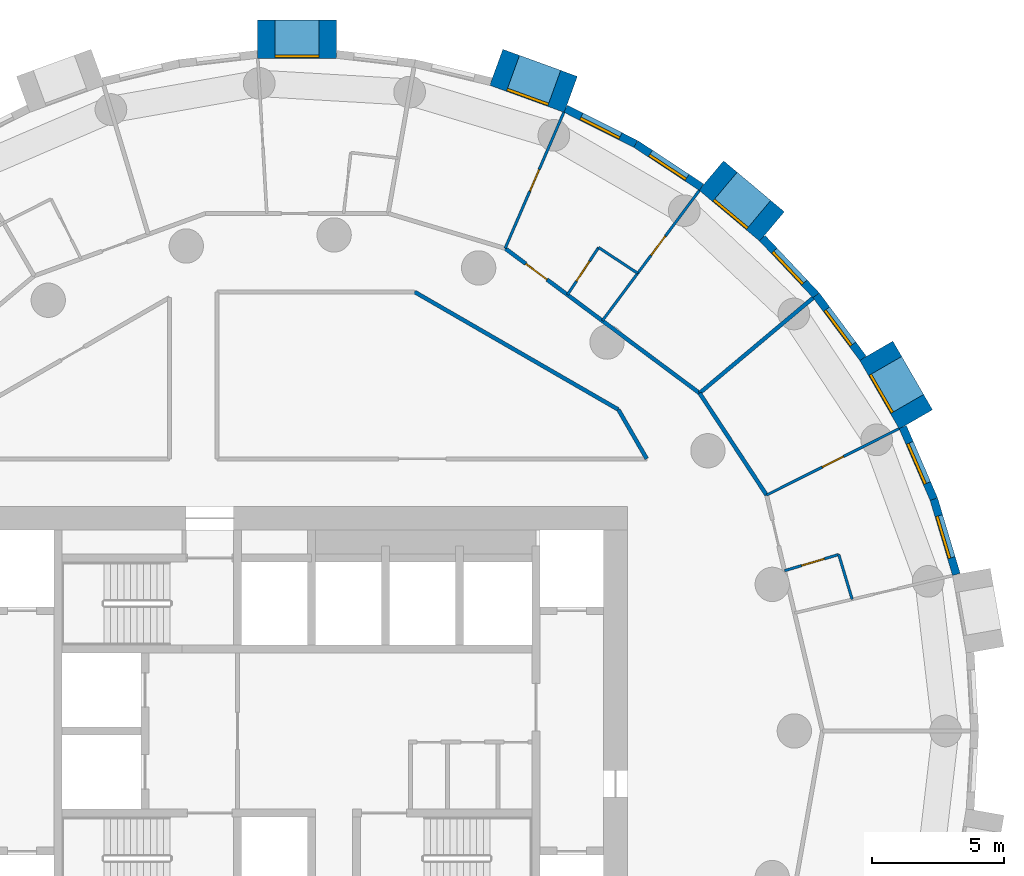
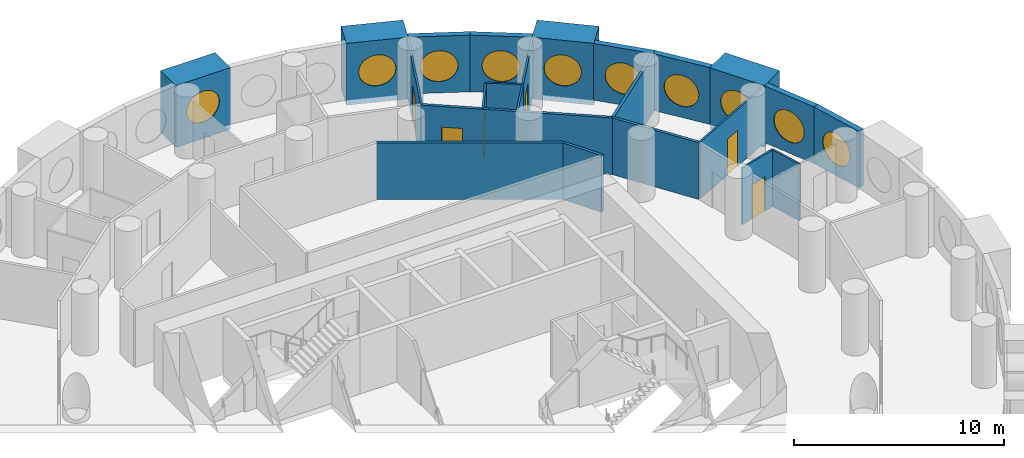
# One storey, part 7 of 9: 23 walls, 10 windows, 6 doors, 16 openings.
"""IFC4 building model written with IfcOpenShell, lengths in metres."""

from ifc_helpers import new_model, si_unit, direction, frame, frame_2d, origin, origin_2d, place, context, subcontext, project, spatial, rectangle, circle, extrude, material, layer, layer_set, type_object, element, fill, save


model = new_model("IFC4")

# Units and contexts
model_context = context("Model", 3, precision=1e-05, world=origin(), true_north=direction((0.0, 1.0)))
body_context = subcontext(model_context, "Body", "Model", "MODEL_VIEW")
ifc_project = project(units=[si_unit("LENGTHUNIT", "METRE"), si_unit("AREAUNIT", "SQUARE_METRE"), si_unit("VOLUMEUNIT", "CUBIC_METRE"), si_unit("PLANEANGLEUNIT", "RADIAN"), si_unit("MASSUNIT", "GRAM", prefix="KILO")], contexts=[model_context])

# Site, building, storey
site_placement = place(None, origin())
site = spatial("IfcSite", under=ifc_project, at=site_placement, CompositionType="ELEMENT")
building_placement = place(site_placement, origin())
building = spatial("IfcBuilding", under=site, at=building_placement, Name="Tracery Tower", CompositionType="ELEMENT")
storey_placement = place(building_placement, frame((0.0, 0.0, 169.199951171875)))
storey = spatial("IfcBuildingStorey", under=building, at=storey_placement, Name="L43", CompositionType="ELEMENT", Elevation=169.199951171875)

# Wall, opening, window
ifc_material_1 = material(Name="Precast concrete C50/60", Category="concrete")
ifc_layer_1 = layer(ifc_material_1, 1.449951171875)
ifc_layer_set_1 = layer_set([ifc_layer_1], Name="Deep-set bay unit 3000 x 3600, slab edge 300")
wall_type_1 = type_object("IfcWallType", Name="Deep-set bay unit 3000 x 3600, slab edge 300", PredefinedType="ELEMENTEDWALL", material=ifc_layer_set_1)
wall_1_placement = place(storey_placement, frame((23.421630859375, 11.79052734375, -0.300048828125), z_axis=(0.0, 0.0, 1.0), x_axis=(-0.499990139034, 0.866031096941, 0.0)))
wall_1 = element("IfcWall", 1, at=wall_1_placement, inside=storey, type_object=wall_type_1, Name="Deep-set bay unit 5 at L43", PredefinedType="ELEMENTEDWALL", context=body_context, shape_type="SweptSolid", body=[
    extrude(rectangle(XDim=3.0, YDim=1.449951171875, at=frame_2d((1.5, 0.0))), origin(), (0.0, 0.0, 1.0), 3.60009765625),
])
opening_1_placement = place(wall_1_placement, frame((1.5, 0.0, 1.85009765625)))
opening_1 = element("IfcOpeningElement", 2, at=opening_1_placement, cuts=wall_1, Name="Opening WN1", PredefinedType="OPENING", context=body_context, shape_type="SweptSolid", body=[
    extrude(circle(Radius=0.9000244140625, at=origin_2d()), frame((0.0, 0.73486328125, 0.0), z_axis=(0.0, -1.0, 0.0), x_axis=(1.0, 0.0, 0.0)), (0.0, 0.0, 1.0), 1.469970703125),
])
ifc_material_2 = material(Name="Aluminium frame with tinted double glazing", Category="aluminium")
window_type = type_object("IfcWindowType", Name="Round window 1800", PartitioningType="SINGLE_PANEL", PredefinedType="WINDOW", material=ifc_material_2)
window_1_placement = place(opening_1_placement, origin())
window_1 = element("IfcWindow", 3, at=window_1_placement, inside=storey, type_object=window_type, Name="Round window 5 at L43", OverallHeight=1.800048828125, OverallWidth=1.800048828125, PartitioningType="SINGLE_PANEL", PredefinedType="WINDOW", context=body_context, shape_type="SweptSolid", body=[
    extrude(circle(Radius=0.9000244140625, at=origin_2d()), frame((0.0, 0.69482421875, 0.0), z_axis=(0.0, -1.0, 0.0), x_axis=(1.0, 0.0, 0.0)), (0.0, 0.0, 1.0), 0.10009765625),
])
fill(opening_1, window_1)

wall_2_placement = place(storey_placement, frame((17.9765625, 19.090087890625, -0.300048828125), z_axis=(0.0, 0.0, 1.0), x_axis=(-0.766022196139, 0.642814121673, 0.0)))
wall_2 = element("IfcWall", 4, at=wall_2_placement, inside=storey, type_object=wall_type_1, Name="Deep-set bay unit 8 at L43", PredefinedType="ELEMENTEDWALL", context=body_context, shape_type="SweptSolid", body=[
    extrude(rectangle(XDim=3.0, YDim=1.449951171875, at=frame_2d((1.5, 0.0))), origin(), (0.0, 0.0, 1.0), 3.60009765625),
])
opening_2_placement = place(wall_2_placement, frame((1.5, 0.0, 1.85009765625)))
opening_2 = element("IfcOpeningElement", 5, at=opening_2_placement, cuts=wall_2, Name="Opening WN1", PredefinedType="OPENING", context=body_context, shape_type="SweptSolid", body=[
    extrude(circle(Radius=0.9000244140625, at=origin_2d()), frame((0.0, 0.73486328125, 0.0), z_axis=(0.0, -1.0, 0.0), x_axis=(1.0, 0.0, 0.0)), (0.0, 0.0, 1.0), 1.469970703125),
])
window_2_placement = place(opening_2_placement, origin())
window_2 = element("IfcWindow", 6, at=window_2_placement, inside=storey, type_object=window_type, Name="Round window 8 at L43", OverallHeight=1.800048828125, OverallWidth=1.800048828125, PartitioningType="SINGLE_PANEL", PredefinedType="WINDOW", context=body_context, shape_type="SweptSolid", body=[
    extrude(circle(Radius=0.9000244140625, at=origin_2d()), frame((0.0, 0.69482421875, 0.0), z_axis=(0.0, -1.0, 0.0), x_axis=(1.0, 0.0, 0.0)), (0.0, 0.0, 1.0), 0.10009765625),
])
fill(opening_2, window_2)

wall_3_placement = place(storey_placement, frame((10.36328125, 24.087158203125, -0.300048828125), z_axis=(0.0, 0.0, 1.0), x_axis=(-0.939686455819, 0.342037080957, 0.0)))
wall_3 = element("IfcWall", 7, at=wall_3_placement, inside=storey, type_object=wall_type_1, Name="Deep-set bay unit 11 at L43", PredefinedType="ELEMENTEDWALL", context=body_context, shape_type="SweptSolid", body=[
    extrude(rectangle(XDim=3.0, YDim=1.449951171875, at=frame_2d((1.5, 0.0))), origin(), (0.0, 0.0, 1.0), 3.60009765625),
])
opening_3_placement = place(wall_3_placement, frame((1.5, 0.0, 1.85009765625)))
opening_3 = element("IfcOpeningElement", 8, at=opening_3_placement, cuts=wall_3, Name="Opening WN1", PredefinedType="OPENING", context=body_context, shape_type="SweptSolid", body=[
    extrude(circle(Radius=0.9000244140625, at=origin_2d()), frame((0.0, 0.73486328125, 0.0), z_axis=(0.0, -1.0, 0.0), x_axis=(1.0, 0.0, 0.0)), (0.0, 0.0, 1.0), 1.469970703125),
])
window_3_placement = place(opening_3_placement, origin())
window_3 = element("IfcWindow", 9, at=window_3_placement, inside=storey, type_object=window_type, Name="Round window 11 at L43", OverallHeight=1.800048828125, OverallWidth=1.800048828125, PartitioningType="SINGLE_PANEL", PredefinedType="WINDOW", context=body_context, shape_type="SweptSolid", body=[
    extrude(circle(Radius=0.9000244140625, at=origin_2d()), frame((0.0, 0.69482421875, 0.0), z_axis=(0.0, -1.0, 0.0), x_axis=(1.0, 0.0, 0.0)), (0.0, 0.0, 1.0), 0.10009765625),
])
fill(opening_3, window_3)

wall_4_placement = place(storey_placement, frame((1.5, 26.178955078125, -0.300048828125), z_axis=(0.0, 0.0, 1.0), x_axis=(-1.0, 0.0, 0.0)))
wall_4 = element("IfcWall", 10, at=wall_4_placement, inside=storey, type_object=wall_type_1, Name="Deep-set bay unit 14 at L43", PredefinedType="ELEMENTEDWALL", context=body_context, shape_type="SweptSolid", body=[
    extrude(rectangle(XDim=3.0, YDim=1.449951171875, at=frame_2d((1.5, 0.0))), origin(), (0.0, 0.0, 1.0), 3.60009765625),
])
opening_4_placement = place(wall_4_placement, frame((1.5, 0.0, 1.85009765625)))
opening_4 = element("IfcOpeningElement", 11, at=opening_4_placement, cuts=wall_4, Name="Opening WN1", PredefinedType="OPENING", context=body_context, shape_type="SweptSolid", body=[
    extrude(circle(Radius=0.9000244140625, at=origin_2d()), frame((0.0, 0.73486328125, 0.0), z_axis=(0.0, -1.0, 0.0), x_axis=(1.0, 0.0, 0.0)), (0.0, 0.0, 1.0), 1.469970703125),
])
window_4_placement = place(opening_4_placement, origin())
window_4 = element("IfcWindow", 12, at=window_4_placement, inside=storey, type_object=window_type, Name="Round window 14 at L43", OverallHeight=1.800048828125, OverallWidth=1.800048828125, PartitioningType="SINGLE_PANEL", PredefinedType="WINDOW", context=body_context, shape_type="SweptSolid", body=[
    extrude(circle(Radius=0.9000244140625, at=origin_2d()), frame((0.0, 0.69482421875, 0.0), z_axis=(0.0, -1.0, 0.0), x_axis=(1.0, 0.0, 0.0)), (0.0, 0.0, 1.0), 0.10009765625),
])
fill(opening_4, window_4)

ifc_material_3 = material(Name="Precast concrete C50/60", Category="concrete")
ifc_layer_2 = layer(ifc_material_3, 0.300048828125)
ifc_layer_set_2 = layer_set([ifc_layer_2], Name="Facade panel 3000 x 3300")
wall_type_2 = type_object("IfcWallType", Name="Facade panel 3000 x 3300", PredefinedType="SOLIDWALL", material=ifc_layer_set_2)
wall_5_placement = place(storey_placement, frame((24.953369140625, 5.924072265625, 0.0), z_axis=(0.0, 0.0, 1.0), x_axis=(-0.286782750849, 0.957995643944, 0.0)))
wall_5 = element("IfcWall", 13, at=wall_5_placement, inside=storey, type_object=wall_type_2, Name="Facade panel 3 at L43", PredefinedType="SOLIDWALL", context=body_context, shape_type="SweptSolid", body=[
    extrude(rectangle(XDim=2.97265625, YDim=0.300048828125, at=frame_2d((1.486328125, 0.0))), origin(), (0.0, 0.0, 1.0), 3.300048828125),
])
opening_5_placement = place(wall_5_placement, frame((1.486328125, 0.0, 1.5498046875)))
opening_5 = element("IfcOpeningElement", 14, at=opening_5_placement, cuts=wall_5, Name="Opening WN1", PredefinedType="OPENING", context=body_context, shape_type="SweptSolid", body=[
    extrude(circle(Radius=0.9000244140625, at=origin_2d()), frame((0.0, 0.159912109375, 0.0), z_axis=(0.0, -1.0, 0.0), x_axis=(1.0, 0.0, 0.0)), (0.0, 0.0, 1.0), 0.320068359375),
])
window_5_placement = place(opening_5_placement, origin())
window_5 = element("IfcWindow", 15, at=window_5_placement, inside=storey, type_object=window_type, Name="Round window 3 at L43", OverallHeight=1.800048828125, OverallWidth=1.800048828125, PartitioningType="SINGLE_PANEL", PredefinedType="WINDOW", context=body_context, shape_type="SweptSolid", body=[
    extrude(circle(Radius=0.9000244140625, at=origin_2d()), frame((0.0, 0.1201171875, 0.0), z_axis=(0.0, -1.0, 0.0), x_axis=(1.0, 0.0, 0.0)), (0.0, 0.0, 1.0), 0.10009765625),
])
fill(opening_5, window_5)

wall_6_placement = place(storey_placement, frame((24.100830078125, 8.77197265625, 0.0), z_axis=(0.0, 0.0, 1.0), x_axis=(-0.396148129016, 0.918186614952, 0.0)))
wall_6 = element("IfcWall", 16, at=wall_6_placement, inside=storey, type_object=wall_type_2, Name="Facade panel 4 at L43", PredefinedType="SOLIDWALL", context=body_context, shape_type="SweptSolid", body=[
    extrude(rectangle(XDim=2.972900390625, YDim=0.300048828125, at=frame_2d((1.486328125, 0.0))), origin(), (0.0, 0.0, 1.0), 3.300048828125),
])
opening_6_placement = place(wall_6_placement, frame((1.486328125, 0.0, 1.5498046875)))
opening_6 = element("IfcOpeningElement", 17, at=opening_6_placement, cuts=wall_6, Name="Opening WN1", PredefinedType="OPENING", context=body_context, shape_type="SweptSolid", body=[
    extrude(circle(Radius=0.9000244140625, at=origin_2d()), frame((0.0, 0.159912109375, 0.0), z_axis=(0.0, -1.0, 0.0), x_axis=(1.0, 0.0, 0.0)), (0.0, 0.0, 1.0), 0.320068359375),
])
window_6_placement = place(opening_6_placement, origin())
window_6 = element("IfcWindow", 18, at=window_6_placement, inside=storey, type_object=window_type, Name="Round window 4 at L43", OverallHeight=1.800048828125, OverallWidth=1.800048828125, PartitioningType="SINGLE_PANEL", PredefinedType="WINDOW", context=body_context, shape_type="SweptSolid", body=[
    extrude(circle(Radius=0.9000244140625, at=origin_2d()), frame((0.0, 0.1201171875, 0.0), z_axis=(0.0, -1.0, 0.0), x_axis=(1.0, 0.0, 0.0)), (0.0, 0.0, 1.0), 0.10009765625),
])
fill(opening_6, window_6)

wall_7_placement = place(storey_placement, frame((21.42236328125, 14.101318359375, 0.0), z_axis=(0.0, 0.0, 1.0), x_axis=(-0.597197580538, 0.80209416517, 0.0)))
wall_7 = element("IfcWall", 19, at=wall_7_placement, inside=storey, type_object=wall_type_2, Name="Facade panel 6 at L43", PredefinedType="SOLIDWALL", context=body_context, shape_type="SweptSolid", body=[
    extrude(rectangle(XDim=2.972900390625, YDim=0.300048828125, at=frame_2d((1.486328125, 0.0))), origin(), (0.0, 0.0, 1.0), 3.300048828125),
])
opening_7_placement = place(wall_7_placement, frame((1.486328125, 0.0, 1.5498046875)))
opening_7 = element("IfcOpeningElement", 20, at=opening_7_placement, cuts=wall_7, Name="Opening WN1", PredefinedType="OPENING", context=body_context, shape_type="SweptSolid", body=[
    extrude(circle(Radius=0.9000244140625, at=origin_2d()), frame((0.0, 0.159912109375, 0.0), z_axis=(0.0, -1.0, 0.0), x_axis=(1.0, 0.0, 0.0)), (0.0, 0.0, 1.0), 0.320068359375),
])
window_7_placement = place(opening_7_placement, origin())
window_7 = element("IfcWindow", 21, at=window_7_placement, inside=storey, type_object=window_type, Name="Round window 6 at L43", OverallHeight=1.800048828125, OverallWidth=1.800048828125, PartitioningType="SINGLE_PANEL", PredefinedType="WINDOW", context=body_context, shape_type="SweptSolid", body=[
    extrude(circle(Radius=0.9000244140625, at=origin_2d()), frame((0.0, 0.1201171875, 0.0), z_axis=(0.0, -1.0, 0.0), x_axis=(1.0, 0.0, 0.0)), (0.0, 0.0, 1.0), 0.10009765625),
])
fill(opening_7, window_7)

wall_8_placement = place(storey_placement, frame((19.64697265625, 16.48583984375, 0.0), z_axis=(0.0, 0.0, 1.0), x_axis=(-0.686235184166, 0.727379730273, 0.0)))
wall_8 = element("IfcWall", 22, at=wall_8_placement, inside=storey, type_object=wall_type_2, Name="Facade panel 7 at L43", PredefinedType="SOLIDWALL", context=body_context, shape_type="SweptSolid", body=[
    extrude(rectangle(XDim=2.972900390625, YDim=0.300048828125, at=frame_2d((1.486328125, 0.0))), origin(), (0.0, 0.0, 1.0), 3.300048828125),
])
opening_8_placement = place(wall_8_placement, frame((1.486328125, 0.0, 1.5498046875)))
opening_8 = element("IfcOpeningElement", 23, at=opening_8_placement, cuts=wall_8, Name="Opening WN1", PredefinedType="OPENING", context=body_context, shape_type="SweptSolid", body=[
    extrude(circle(Radius=0.9000244140625, at=origin_2d()), frame((0.0, 0.159912109375, 0.0), z_axis=(0.0, -1.0, 0.0), x_axis=(1.0, 0.0, 0.0)), (0.0, 0.0, 1.0), 0.320068359375),
])
window_8_placement = place(opening_8_placement, origin())
window_8 = element("IfcWindow", 24, at=window_8_placement, inside=storey, type_object=window_type, Name="Round window 7 at L43", OverallHeight=1.800048828125, OverallWidth=1.800048828125, PartitioningType="SINGLE_PANEL", PredefinedType="WINDOW", context=body_context, shape_type="SweptSolid", body=[
    extrude(circle(Radius=0.9000244140625, at=origin_2d()), frame((0.0, 0.1201171875, 0.0), z_axis=(0.0, -1.0, 0.0), x_axis=(1.0, 0.0, 0.0)), (0.0, 0.0, 1.0), 0.10009765625),
])
fill(opening_8, window_8)

wall_9_placement = place(storey_placement, frame((15.3076171875, 20.57763671875, 0.0), z_axis=(0.0, 0.0, 1.0), x_axis=(-0.835470659512, 0.549535055382, 0.0)))
wall_9 = element("IfcWall", 25, at=wall_9_placement, inside=storey, type_object=wall_type_2, Name="Facade panel 9 at L43", PredefinedType="SOLIDWALL", context=body_context, shape_type="SweptSolid", body=[
    extrude(rectangle(XDim=2.97314453125, YDim=0.300048828125, at=frame_2d((1.486572265625, 0.0))), origin(), (0.0, 0.0, 1.0), 3.300048828125),
])
opening_9_placement = place(wall_9_placement, frame((1.486328125, 0.0, 1.5498046875)))
opening_9 = element("IfcOpeningElement", 26, at=opening_9_placement, cuts=wall_9, Name="Opening WN1", PredefinedType="OPENING", context=body_context, shape_type="SweptSolid", body=[
    extrude(circle(Radius=0.9000244140625, at=origin_2d()), frame((0.0, 0.159912109375, 0.0), z_axis=(0.0, -1.0, 0.0), x_axis=(1.0, 0.0, 0.0)), (0.0, 0.0, 1.0), 0.320068359375),
])
window_9_placement = place(opening_9_placement, origin())
window_9 = element("IfcWindow", 27, at=window_9_placement, inside=storey, type_object=window_type, Name="Round window 9 at L43", OverallHeight=1.800048828125, OverallWidth=1.800048828125, PartitioningType="SINGLE_PANEL", PredefinedType="WINDOW", context=body_context, shape_type="SweptSolid", body=[
    extrude(circle(Radius=0.9000244140625, at=origin_2d()), frame((0.0, 0.1201171875, 0.0), z_axis=(0.0, -1.0, 0.0), x_axis=(1.0, 0.0, 0.0)), (0.0, 0.0, 1.0), 0.10009765625),
])
fill(opening_9, window_9)

wall_10_placement = place(storey_placement, frame((12.82373046875, 22.21142578125, 0.0), z_axis=(0.0, 0.0, 1.0), x_axis=(-0.893637442555, 0.448789618045, 0.0)))
wall_10 = element("IfcWall", 28, at=wall_10_placement, inside=storey, type_object=wall_type_2, Name="Facade panel 10 at L43", PredefinedType="SOLIDWALL", context=body_context, shape_type="SweptSolid", body=[
    extrude(rectangle(XDim=2.972900390625, YDim=0.300048828125, at=frame_2d((1.486328125, 0.0))), origin(), (0.0, 0.0, 1.0), 3.300048828125),
])
opening_10_placement = place(wall_10_placement, frame((1.486328125, 0.0, 1.5498046875)))
opening_10 = element("IfcOpeningElement", 29, at=opening_10_placement, cuts=wall_10, Name="Opening WN1", PredefinedType="OPENING", context=body_context, shape_type="SweptSolid", body=[
    extrude(circle(Radius=0.9000244140625, at=origin_2d()), frame((0.0, 0.159912109375, 0.0), z_axis=(0.0, -1.0, 0.0), x_axis=(1.0, 0.0, 0.0)), (0.0, 0.0, 1.0), 0.320068359375),
])
window_10_placement = place(opening_10_placement, origin())
window_10 = element("IfcWindow", 30, at=window_10_placement, inside=storey, type_object=window_type, Name="Round window 10 at L43", OverallHeight=1.800048828125, OverallWidth=1.800048828125, PartitioningType="SINGLE_PANEL", PredefinedType="WINDOW", context=body_context, shape_type="SweptSolid", body=[
    extrude(circle(Radius=0.9000244140625, at=origin_2d()), frame((0.0, 0.1201171875, 0.0), z_axis=(0.0, -1.0, 0.0), x_axis=(1.0, 0.0, 0.0)), (0.0, 0.0, 1.0), 0.10009765625),
])
fill(opening_10, window_10)

# Wall, opening, door
ifc_material_4 = material(Name="Plasterboard on steel studs", Category="steel")
ifc_layer_3 = layer(ifc_material_4, 0.10009765625)
ifc_layer_set_3 = layer_set([ifc_layer_3], Name="Partition 100 stud")
wall_type_3 = type_object("IfcWallType", Name="Partition 100 stud", PredefinedType="PARTITIONING", material=ifc_layer_set_3)
wall_11_placement = place(storey_placement, frame((17.77197265625, 8.926025390625, 0.0), z_axis=(0.0, 0.0, 1.0), x_axis=(0.893668599189, 0.44872757306, 0.0)))
wall_11 = element("IfcWall", 31, at=wall_11_placement, inside=storey, type_object=wall_type_3, Name="Stud partition RB5-040", PredefinedType="PARTITIONING", context=body_context, shape_type="SweptSolid", body=[
    extrude(rectangle(XDim=5.609375, YDim=0.10009765625, at=frame_2d((2.8046875, 0.0))), origin(), (0.0, 0.0, 1.0), 3.300048828125),
])
opening_11_placement = place(wall_11_placement, frame((2.35498046875, 0.0, 0.0)))
opening_11 = element("IfcOpeningElement", 32, at=opening_11_placement, cuts=wall_11, Name="Opening RB5-06", PredefinedType="OPENING", context=body_context, shape_type="SweptSolid", body=[
    extrude(rectangle(XDim=0.89990234375, YDim=2.10009765625, at=frame_2d((0.449951171875, 1.050048828125))), frame((0.0, 0.050048828125, 0.0), z_axis=(0.0, -1.0, 0.0), x_axis=(1.0, 0.0, 0.0)), (0.0, 0.0, 1.0), 0.10009765625),
])
ifc_material_5 = material(Name="Timber door leaf", Category="wood")
door_type_1 = type_object("IfcDoorType", Name="Door bedroom 900", OperationType="NOTDEFINED", PredefinedType="DOOR", material=ifc_material_5)
door_1_placement = place(opening_11_placement, origin())
door_1 = element("IfcDoor", 33, at=door_1_placement, inside=storey, type_object=door_type_1, Name="Bedroom door RB5-06", OperationType="SINGLE_SWING_RIGHT", OverallHeight=2.10009765625, OverallWidth=0.89990234375, PredefinedType="DOOR", context=body_context, shape_type="SweptSolid", body=[
    extrude(rectangle(XDim=0.89990234375, YDim=2.10009765625, at=frame_2d((0.449951171875, 1.050048828125))), frame((0.0, 0.02490234375, 0.0), z_axis=(0.0, -1.0, 0.0), x_axis=(1.0, 0.0, 0.0)), (0.0, 0.0, 1.0), 0.050048828125),
])
fill(opening_11, door_1)

wall_12_placement = place(storey_placement, frame((12.89404296875, 17.320068359375, 0.0), z_axis=(0.0, 0.0, 1.0), x_axis=(0.597235338427, 0.802066051229, 0.0)))
wall_12 = element("IfcWall", 34, at=wall_12_placement, inside=storey, type_object=wall_type_3, Name="Stud partition RB5-046", PredefinedType="PARTITIONING", context=body_context, shape_type="SweptSolid", body=[
    extrude(rectangle(XDim=3.90478515625, YDim=0.10009765625, at=frame_2d((1.952392578125, 0.0))), origin(), (0.0, 0.0, 1.0), 3.300048828125),
])
opening_12_placement = place(wall_12_placement, frame((0.852783203125, 0.0, 0.0)))
opening_12 = element("IfcOpeningElement", 35, at=opening_12_placement, cuts=wall_12, Name="Opening RB5-09", PredefinedType="OPENING", context=body_context, shape_type="SweptSolid", body=[
    extrude(rectangle(XDim=0.89990234375, YDim=2.10009765625, at=frame_2d((0.449951171875, 1.050048828125))), frame((0.0, 0.050048828125, 0.0), z_axis=(0.0, -1.0, 0.0), x_axis=(1.0, 0.0, 0.0)), (0.0, 0.0, 1.0), 0.10009765625),
])
door_2_placement = place(opening_12_placement, origin())
door_2 = element("IfcDoor", 36, at=door_2_placement, inside=storey, type_object=door_type_1, Name="Bedroom door RB5-09", OperationType="SINGLE_SWING_RIGHT", OverallHeight=2.10009765625, OverallWidth=0.89990234375, PredefinedType="DOOR", context=body_context, shape_type="SweptSolid", body=[
    extrude(rectangle(XDim=0.89990234375, YDim=2.10009765625, at=frame_2d((0.449951171875, 1.050048828125))), frame((0.0, 0.02490234375, 0.0), z_axis=(0.0, -1.0, 0.0), x_axis=(1.0, 0.0, 0.0)), (0.0, 0.0, 1.0), 0.050048828125),
])
fill(opening_12, door_2)

wall_13_placement = place(storey_placement, frame((7.876953125, 18.260986328125, 0.0), z_axis=(0.0, 0.0, 1.0), x_axis=(0.39610837783, 0.91820376443, 0.0)))
wall_13 = element("IfcWall", 37, at=wall_13_placement, inside=storey, type_object=wall_type_3, Name="Stud partition RB5-047", PredefinedType="PARTITIONING", context=body_context, shape_type="SweptSolid", body=[
    extrude(rectangle(XDim=5.610107421875, YDim=0.10009765625, at=frame_2d((2.80517578125, 0.0))), origin(), (0.0, 0.0, 1.0), 3.300048828125),
])
opening_13_placement = place(wall_13_placement, frame((2.35498046875, 0.0, 0.0)))
opening_13 = element("IfcOpeningElement", 38, at=opening_13_placement, cuts=wall_13, Name="Opening RB5-10", PredefinedType="OPENING", context=body_context, shape_type="SweptSolid", body=[
    extrude(rectangle(XDim=0.89990234375, YDim=2.10009765625, at=frame_2d((0.449951171875, 1.050048828125))), frame((0.0, 0.050048828125, 0.0), z_axis=(0.0, -1.0, 0.0), x_axis=(1.0, 0.0, 0.0)), (0.0, 0.0, 1.0), 0.10009765625),
])
door_3_placement = place(opening_13_placement, origin())
door_3 = element("IfcDoor", 39, at=door_3_placement, inside=storey, type_object=door_type_1, Name="Bedroom door RB5-10", OperationType="SINGLE_SWING_RIGHT", OverallHeight=2.10009765625, OverallWidth=0.89990234375, PredefinedType="DOOR", context=body_context, shape_type="SweptSolid", body=[
    extrude(rectangle(XDim=0.89990234375, YDim=2.10009765625, at=frame_2d((0.449951171875, 1.050048828125))), frame((0.0, 0.02490234375, 0.0), z_axis=(0.0, -1.0, 0.0), x_axis=(1.0, 0.0, 0.0)), (0.0, 0.0, 1.0), 0.050048828125),
])
fill(opening_13, door_3)

# Wall
ifc_material_6 = material(Name="Plasterboard on steel studs", Category="steel")
ifc_layer_4 = layer(ifc_material_6, 0.10009765625)
ifc_layer_set_4 = layer_set([ifc_layer_4], Name="Partition 100 wet wall")
wall_type_4 = type_object("IfcWallType", Name="Partition 100 wet wall", PredefinedType="PARTITIONING", material=ifc_layer_set_4)
wall_14_placement = place(storey_placement, frame((20.501953125, 6.677978515625, 0.0), z_axis=(0.0, 0.0, 1.0), x_axis=(0.287158348986, -0.957883125756, 0.0)))
element("IfcWall", 40, at=wall_14_placement, inside=storey, type_object=wall_type_4, Name="Wet wall RB5-041", PredefinedType="PARTITIONING", context=body_context, shape_type="SweptSolid", body=[
    extrude(rectangle(XDim=1.772705078125, YDim=0.10009765625, at=frame_2d((0.88623046875, 0.0))), origin(), (0.0, 0.0, 1.0), 3.300048828125),
])

# Wall, opening, door
wall_15_placement = place(storey_placement, frame((18.450927734375, 6.06396484375, 0.0), z_axis=(0.0, 0.0, 1.0), x_axis=(0.957992466662, 0.28679336432, 0.0)))
wall_15 = element("IfcWall", 41, at=wall_15_placement, inside=storey, type_object=wall_type_4, Name="Wet wall RB5-042", PredefinedType="PARTITIONING", context=body_context, shape_type="SweptSolid", body=[
    extrude(rectangle(XDim=2.140869140625, YDim=0.10009765625, at=frame_2d((1.0703125, 0.0))), origin(), (0.0, 0.0, 1.0), 3.300048828125),
])
opening_14_placement = place(wall_15_placement, frame((0.6708984375, 0.0, 0.0)))
opening_14 = element("IfcOpeningElement", 42, at=opening_14_placement, cuts=wall_15, Name="Opening RB5-07", PredefinedType="OPENING", context=body_context, shape_type="SweptSolid", body=[
    extrude(rectangle(XDim=0.89990234375, YDim=2.0, at=frame_2d((0.449951171875, 1.0))), frame((0.0, 0.050048828125, 0.0), z_axis=(0.0, -1.0, 0.0), x_axis=(1.0, 0.0, 0.0)), (0.0, 0.0, 1.0), 0.10009765625),
])
ifc_material_7 = material(Name="Timber door leaf", Category="wood")
door_type_2 = type_object("IfcDoorType", Name="Door shower room 900", OperationType="NOTDEFINED", PredefinedType="DOOR", material=ifc_material_7)
door_4_placement = place(opening_14_placement, origin())
door_4 = element("IfcDoor", 43, at=door_4_placement, inside=storey, type_object=door_type_2, Name="Shower room door RB5-07", OperationType="SINGLE_SWING_LEFT", OverallHeight=2.0, OverallWidth=0.89990234375, PredefinedType="DOOR", context=body_context, shape_type="SweptSolid", body=[
    extrude(rectangle(XDim=0.89990234375, YDim=2.0, at=frame_2d((0.449951171875, 1.0))), frame((0.0, 0.02490234375, 0.0), z_axis=(0.0, -1.0, 0.0), x_axis=(1.0, 0.0, 0.0)), (0.0, 0.0, 1.0), 0.050048828125),
])
fill(opening_14, door_4)

# Wall
wall_16_placement = place(storey_placement, frame((11.4130859375, 18.2939453125, 0.0), z_axis=(0.0, 0.0, 1.0), x_axis=(0.835530238932, -0.549444464738, 0.0)))
element("IfcWall", 44, at=wall_16_placement, inside=storey, type_object=wall_type_4, Name="Wet wall RB5-048", PredefinedType="PARTITIONING", context=body_context, shape_type="SweptSolid", body=[
    extrude(rectangle(XDim=1.7724609375, YDim=0.10009765625, at=frame_2d((0.88623046875, 0.0))), origin(), (0.0, 0.0, 1.0), 3.300048828125),
])

# Wall, opening, door
wall_17_placement = place(storey_placement, frame((10.236083984375, 16.5048828125, 0.0), z_axis=(0.0, 0.0, 1.0), x_axis=(0.5496123138, 0.835419837279, 0.0)))
wall_17 = element("IfcWall", 45, at=wall_17_placement, inside=storey, type_object=wall_type_4, Name="Wet wall RB5-049", PredefinedType="PARTITIONING", context=body_context, shape_type="SweptSolid", body=[
    extrude(rectangle(XDim=2.1416015625, YDim=0.10009765625, at=frame_2d((1.07080078125, 0.0))), origin(), (0.0, 0.0, 1.0), 3.300048828125),
])
opening_15_placement = place(wall_17_placement, frame((0.62060546875, 0.0, 0.0)))
opening_15 = element("IfcOpeningElement", 46, at=opening_15_placement, cuts=wall_17, Name="Opening RB5-11", PredefinedType="OPENING", context=body_context, shape_type="SweptSolid", body=[
    extrude(rectangle(XDim=0.89990234375, YDim=2.0, at=frame_2d((0.449951171875, 1.0))), frame((0.0, 0.050048828125, 0.0), z_axis=(0.0, -1.0, 0.0), x_axis=(1.0, 0.0, 0.0)), (0.0, 0.0, 1.0), 0.10009765625),
])
door_5_placement = place(opening_15_placement, origin())
door_5 = element("IfcDoor", 47, at=door_5_placement, inside=storey, type_object=door_type_2, Name="Shower room door RB5-11", OperationType="SINGLE_SWING_RIGHT", OverallHeight=2.0, OverallWidth=0.89990234375, PredefinedType="DOOR", context=body_context, shape_type="SweptSolid", body=[
    extrude(rectangle(XDim=0.89990234375, YDim=2.0, at=frame_2d((0.449951171875, 1.0))), frame((0.0, 0.02490234375, 0.0), z_axis=(0.0, -1.0, 0.0), x_axis=(1.0, 0.0, 0.0)), (0.0, 0.0, 1.0), 0.050048828125),
])
fill(opening_15, door_5)

# Walls
wall_18_placement = place(storey_placement, frame((11.555908203125, 15.52197265625, 0.0), z_axis=(0.0, 0.0, 1.0), x_axis=(0.596950542241, 0.802278037914, 0.0)))
element("IfcWall", 48, at=wall_18_placement, inside=storey, type_object=wall_type_4, Name="Wet wall RB5-050", PredefinedType="PARTITIONING", context=body_context, shape_type="SweptSolid", body=[
    extrude(rectangle(XDim=2.244873046875, YDim=0.10009765625, at=frame_2d((1.12255859375, 0.0))), origin(), (0.0, 0.0, 1.0), 3.300048828125),
])
ifc_material_8 = material(Name="Plasterboard on steel studs", Category="steel")
ifc_layer_5 = layer(ifc_material_8, 0.14990234375)
ifc_layer_set_5 = layer_set([ifc_layer_5], Name="Partition 150 acoustic unit wall")
wall_type_5 = type_object("IfcWallType", Name="Partition 150 acoustic unit wall", PredefinedType="PARTITIONING", material=ifc_layer_set_5)
wall_19_placement = place(storey_placement, frame((15.235107421875, 12.783935546875, 0.0), z_axis=(0.0, 0.0, 1.0), x_axis=(0.76609059793, 0.642732600514, 0.0)))
element("IfcWall", 49, at=wall_19_placement, inside=storey, type_object=wall_type_5, Name="Unit wall RB5-045", PredefinedType="PARTITIONING", context=body_context, shape_type="SweptSolid", body=[
    extrude(rectangle(XDim=5.60888671875, YDim=0.14990234375, at=frame_2d((2.804443359375, 0.0))), origin(), (0.0, 0.0, 1.0), 3.300048828125),
])
ifc_material_9 = material(Name="Plasterboard on steel studs", Category="steel")
ifc_layer_6 = layer(ifc_material_9, 0.14990234375)
ifc_layer_set_6 = layer_set([ifc_layer_6], Name="Partition 150 corridor wall")
wall_type_6 = type_object("IfcWallType", Name="Partition 150 corridor wall", PredefinedType="PARTITIONING", material=ifc_layer_set_6)
wall_20_placement = place(storey_placement, frame((12.162109375, 12.162109375, 0.0), z_axis=(0.0, 0.0, 1.0), x_axis=(0.499961633463, -0.866047553582, 0.0)))
element("IfcWall", 50, at=wall_20_placement, inside=storey, type_object=wall_type_6, Name="Corridor wall RB5-005", PredefinedType="PARTITIONING", context=body_context, shape_type="SweptSolid", body=[
    extrude(rectangle(XDim=2.150146484375, YDim=0.14990234375, at=frame_2d((1.0751953125, 0.0))), origin(), (0.0, 0.0, 1.0), 3.300048828125),
])
wall_21_placement = place(storey_placement, frame((15.235107421875, 12.783935546875, 0.0), z_axis=(0.0, 0.0, 1.0), x_axis=(0.54943003049, -0.83553973071, 0.0)))
element("IfcWall", 51, at=wall_21_placement, inside=storey, type_object=wall_type_6, Name="Corridor wall RB5-008", PredefinedType="PARTITIONING", context=body_context, shape_type="SweptSolid", body=[
    extrude(rectangle(XDim=4.6171875, YDim=0.14990234375, at=frame_2d((2.30859375, 0.0))), origin(), (0.0, 0.0, 1.0), 3.300048828125),
])

# Wall, opening, door
wall_22_placement = place(storey_placement, frame((7.87744140625, 18.26171875, 0.0), z_axis=(0.0, 0.0, 1.0), x_axis=(0.802112550244, -0.597172886811, 0.0)))
wall_22 = element("IfcWall", 52, at=wall_22_placement, inside=storey, type_object=wall_type_6, Name="Corridor wall RB5-009", PredefinedType="PARTITIONING", context=body_context, shape_type="SweptSolid", body=[
    extrude(rectangle(XDim=9.1728515625, YDim=0.14990234375, at=frame_2d((4.58642578125, 0.0))), origin(), (0.0, 0.0, 1.0), 3.300048828125),
])
opening_16_placement = place(wall_22_placement, frame((0.971923828125, 0.0, 0.0)))
opening_16 = element("IfcOpeningElement", 53, at=opening_16_placement, cuts=wall_22, Name="Opening RB5-12", PredefinedType="OPENING", context=body_context, shape_type="SweptSolid", body=[
    extrude(rectangle(XDim=1.0, YDim=2.10009765625, at=frame_2d((0.5, 1.050048828125))), frame((0.0, 0.074951171875, 0.0), z_axis=(0.0, -1.0, 0.0), x_axis=(1.0, 0.0, 0.0)), (0.0, 0.0, 1.0), 0.14990234375),
])
ifc_material_10 = material(Name="Timber door leaf", Category="wood")
door_type_3 = type_object("IfcDoorType", Name="Door unit entrance 1000", OperationType="NOTDEFINED", PredefinedType="DOOR", material=ifc_material_10)
door_6_placement = place(opening_16_placement, origin())
door_6 = element("IfcDoor", 54, at=door_6_placement, inside=storey, type_object=door_type_3, Name="Unit entrance door RB5-12", OperationType="SINGLE_SWING_LEFT", OverallHeight=2.10009765625, OverallWidth=1.0, PredefinedType="DOOR", context=body_context, shape_type="SweptSolid", body=[
    extrude(rectangle(XDim=1.0, YDim=2.10009765625, at=frame_2d((0.5, 1.050048828125))), frame((0.0, 0.02490234375, 0.0), z_axis=(0.0, -1.0, 0.0), x_axis=(1.0, 0.0, 0.0)), (0.0, 0.0, 1.0), 0.050048828125),
])
fill(opening_16, door_6)

# Wall
wall_23_placement = place(storey_placement, frame((4.451904296875, 16.614013671875, 0.0), z_axis=(0.0, 0.0, 1.0), x_axis=(0.866005203721, -0.500034985904, 0.0)))
element("IfcWall", 55, at=wall_23_placement, inside=storey, type_object=wall_type_6, Name="Corridor wall RB5-015", PredefinedType="PARTITIONING", context=body_context, shape_type="SweptSolid", body=[
    extrude(rectangle(XDim=8.903076171875, YDim=0.14990234375, at=frame_2d((4.45166015625, 0.0))), origin(), (0.0, 0.0, 1.0), 3.300048828125),
])

save(model, "model.ifc")
